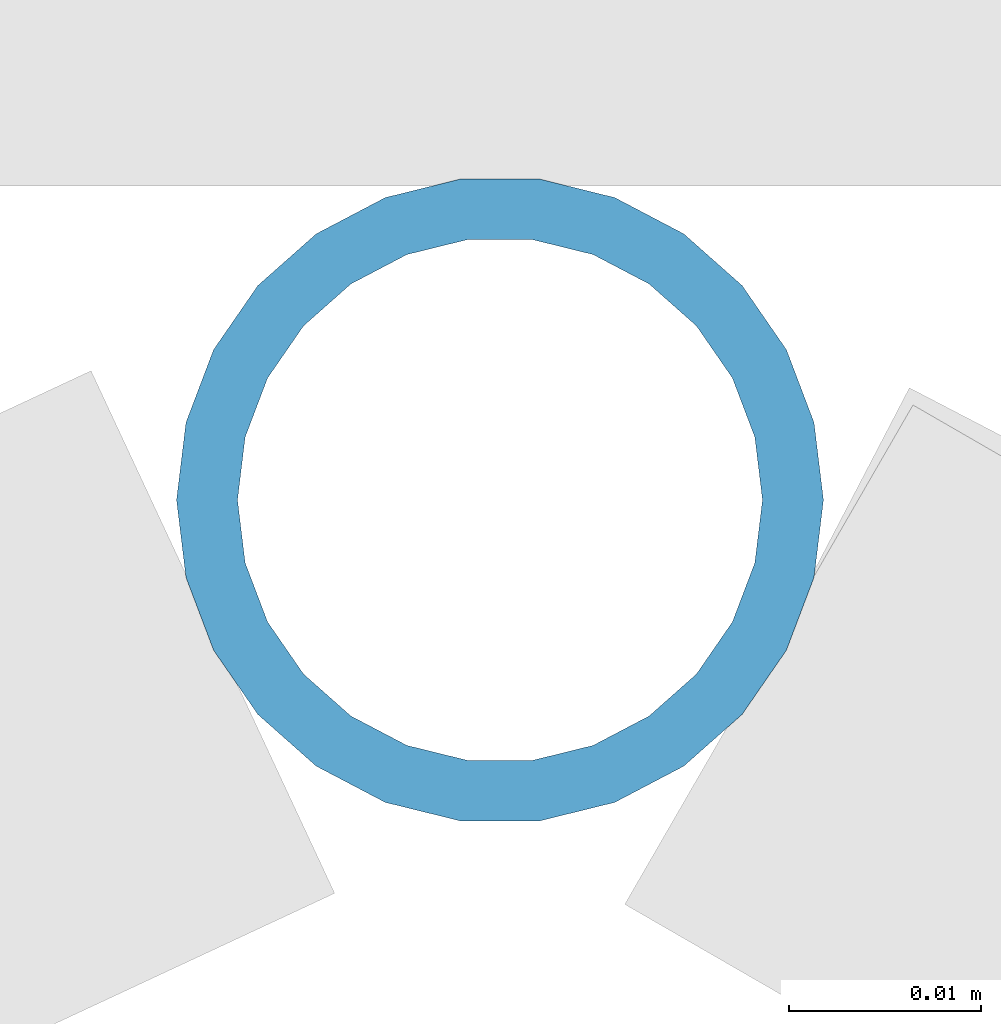
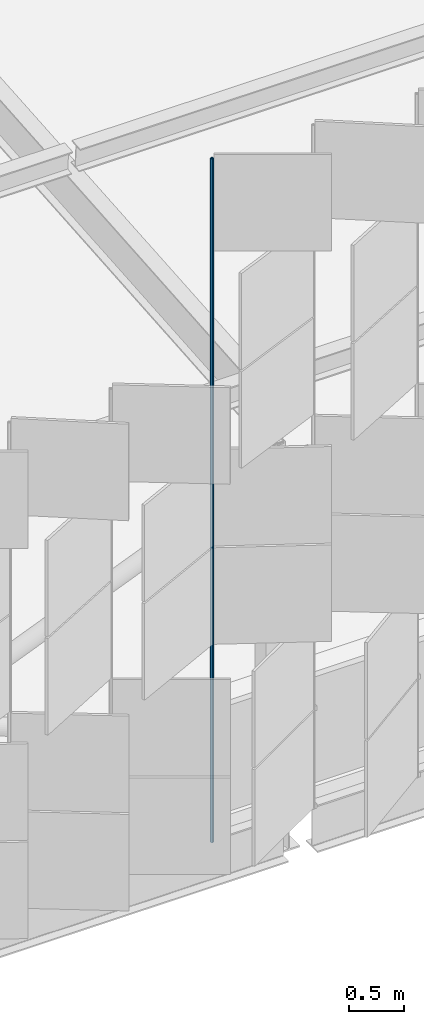
# One storey, part 222 of 483: 1 discrete accessory.
"""IFC4 building model written with IfcOpenShell, lengths in metres."""

from ifc_helpers import new_model, si_unit, direction, frame, origin, origin_2d, place, context, subcontext, project, spatial, hollow_circle, extrude, material, material_profile, profile_set, type_object, element, save


model = new_model("IFC4")

# Units and contexts
model_context = context("Model", 3, precision=1e-05, world=origin(), true_north=direction((0.0, 1.0)))
body_context = subcontext(model_context, "Body", "Model", "MODEL_VIEW")
ifc_project = project(units=[si_unit("LENGTHUNIT", "METRE"), si_unit("AREAUNIT", "SQUARE_METRE"), si_unit("VOLUMEUNIT", "CUBIC_METRE"), si_unit("PLANEANGLEUNIT", "RADIAN"), si_unit("MASSUNIT", "GRAM", prefix="KILO")], contexts=[model_context])

# Site, building, storey
site_placement = place(None, origin())
site = spatial("IfcSite", under=ifc_project, at=site_placement, CompositionType="ELEMENT")
building_placement = place(site_placement, origin())
building = spatial("IfcBuilding", under=site, at=building_placement, Name="Parallax Yard Mobility Hub", CompositionType="ELEMENT")
storey_placement = place(building_placement, frame((0.0, 0.0, 13.199951171875)))
storey = spatial("IfcBuildingStorey", under=building, at=storey_placement, Name="L04", CompositionType="ELEMENT", Elevation=13.199951171875)

# Discrete accessory
ifc_material = material(Name="Steel ASTM A500 Gr C, hot-dip galvanised", Category="steel")
ifc_material_profile = material_profile(ifc_material, hollow_circle(Radius=0.016845703125, WallThickness=0.003173828125, at=origin_2d()), Name="CHS 33.7x3.2")
ifc_profile_set = profile_set([ifc_material_profile], Name="Steel ASTM A500 Gr C, hot-dip galvanised")
discrete_accessory_type = type_object("IfcDiscreteAccessoryType", Name="Hinge post CHS 33.7x3.2", PredefinedType="BRACKET", material=ifc_profile_set)
discrete_accessory_placement = place(storey_placement, frame((156.422607421875, 112.199951171875, 0.0), z_axis=(0.0, 0.0, 1.0), x_axis=(1.0, 0.0, 0.0)))
element("IfcDiscreteAccessory", 1, at=discrete_accessory_placement, inside=storey, type_object=discrete_accessory_type, Name="Hinge post bay 15.7 level L04", PredefinedType="BRACKET", context=body_context, shape_type="SweptSolid", body=[
    extrude(hollow_circle(Radius=0.016845703125, WallThickness=0.003173828125, at=origin_2d()), origin(), (0.0, 0.0, 1.0), 7.650146484375),
])

save(model, "model.ifc")
